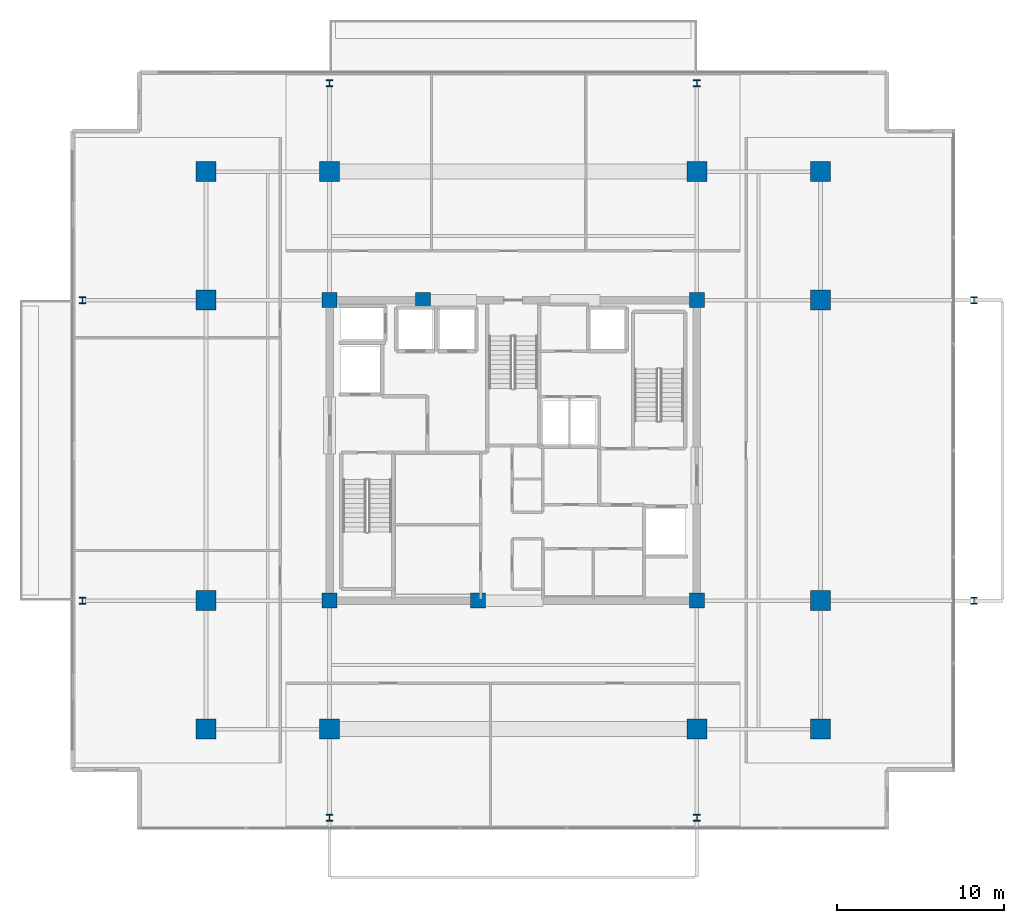
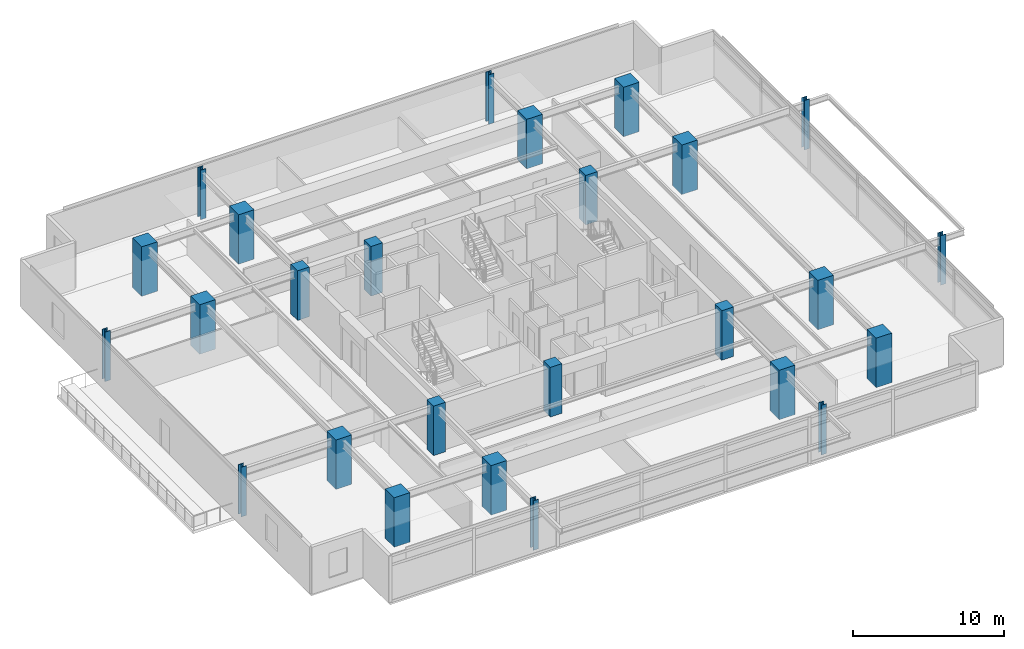
# One storey, part 1 of 19: 26 columns.
"""IFC4 building model written with IfcOpenShell, lengths in metres."""

import ifcopenshell
import ifcopenshell.guid

model = None  # the IFC model being written
_history = None  # IfcOwnerHistory: only IFC2X3 demands one
_inside = {}  # id of a spatial element -> (the spatial element, [elements in it])
_under = {}  # id of a project, library or spatial element -> (it, [spatial elements below it])
_declared = {}  # id of a project -> (the project, [libraries it declares])
_typed = {}  # id of a type object -> (the type object, [elements of that type])
_made_of = {}  # id of a material, layer set ... -> (it, [elements and type objects made of it])


def new_model(schema):
    """Start an empty IFC model of exactly this schema.

    Asked for "IFC4X3", IfcOpenShell would pick the latest addendum, in which some entities
    have other attributes; the version numbers below select the first issue.
    IFC2X3 requires an IfcOwnerHistory on every rooted entity: one is made here for all.
    """
    global model, _history
    if schema == "IFC4X3":
        model = ifcopenshell.file(schema_version=(4, 3, 0, 0))
    else:
        model = ifcopenshell.file(schema=schema)
    _inside.clear()
    _under.clear()
    _declared.clear()
    _typed.clear()
    _made_of.clear()
    _history = None
    if model.schema == "IFC2X3":
        org = make("IfcOrganization", Name="unknown")
        user = make(
            "IfcPersonAndOrganization",
            ThePerson=make("IfcPerson", FamilyName="unknown"),
            TheOrganization=org,
        )
        app = make(
            "IfcApplication",
            ApplicationDeveloper=org,
            Version="unknown",
            ApplicationFullName="unknown",
            ApplicationIdentifier="unknown",
        )
        _history = make(
            "IfcOwnerHistory",
            OwningUser=user,
            OwningApplication=app,
            ChangeAction="ADDED",
            CreationDate=0,
        )
    return model


def make(cls, **values):
    """One entity of the class cls with the attributes given. An attribute that is None is left unset."""
    return model.create_entity(
        cls, **{name: value for name, value in values.items() if value is not None}
    )


def rooted(cls, **values):
    """An entity with a GlobalId (a new one), such as an element, a storey or a relation."""
    return make(cls, GlobalId=ifcopenshell.guid.new(), OwnerHistory=_history, **values)


def si_unit(unit_type, name, prefix=None):
    """IfcSIUnit, for example si_unit("LENGTHUNIT", "METRE", prefix="MILLI")."""
    return make("IfcSIUnit", UnitType=unit_type, Prefix=prefix, Name=name)


def assignment(units):
    """IfcUnitAssignment: the units of a project."""
    return None if units is None else make("IfcUnitAssignment", Units=units)


def point(xyz):
    """IfcCartesianPoint."""
    return None if xyz is None else make("IfcCartesianPoint", Coordinates=xyz)


def direction(xyz):
    """IfcDirection."""
    return None if xyz is None else make("IfcDirection", DirectionRatios=xyz)


def frame(location, z_axis=None, x_axis=None):
    """IfcAxis2Placement3D, a coordinate frame: its origin and axes. An axis left out is left unset."""
    return make(
        "IfcAxis2Placement3D",
        Location=point(location),
        Axis=direction(z_axis),
        RefDirection=direction(x_axis),
    )


def frame_2d(location, x_axis=None):
    """IfcAxis2Placement2D, a coordinate frame in the plane: its origin and x axis."""
    return make(
        "IfcAxis2Placement2D", Location=point(location), RefDirection=direction(x_axis)
    )


def origin():
    """The frame at (0, 0, 0) with its axes left unset."""
    return frame((0.0, 0.0, 0.0))


def origin_2d():
    """The frame at (0, 0) in the plane with its x axis left unset."""
    return frame_2d((0.0, 0.0))


def place(relative_to, where):
    """IfcLocalPlacement: puts the frame where relative to a parent placement (None: the world)."""
    return make(
        "IfcLocalPlacement", PlacementRelTo=relative_to, RelativePlacement=where
    )


def context(
    kind, dimensions, precision=None, world=None, true_north=None, identifier=None
):
    """IfcGeometricRepresentationContext, for example the 3D "Model" context."""
    return make(
        "IfcGeometricRepresentationContext",
        ContextIdentifier=identifier,
        ContextType=kind,
        CoordinateSpaceDimension=dimensions,
        Precision=precision,
        WorldCoordinateSystem=world,
        TrueNorth=true_north,
    )


def subcontext(parent, identifier, kind, view, scale=None):
    """IfcGeometricRepresentationSubContext, for example "Body" below "Model"."""
    return make(
        "IfcGeometricRepresentationSubContext",
        ContextIdentifier=identifier,
        ContextType=kind,
        ParentContext=parent,
        TargetScale=scale,
        TargetView=view,
    )


def project(units=None, contexts=None):
    """IfcProject with its units and contexts."""
    return rooted(
        "IfcProject",
        Name="project",
        RepresentationContexts=contexts,
        UnitsInContext=assignment(units),
    )


def spatial(cls, under=None, at=None, **own):
    """A site, building, storey or space (cls), placed at a placement, below another one or the project."""
    s = rooted(cls, ObjectPlacement=at, **own)
    if under is not None:
        _under.setdefault(under.id(), (under, []))[1].append(s)
    return s


def profile(cls, at=None, kind="AREA", **sizes):
    """A parametric profile (cls). Its sizes go by their IFC names, for example OverallWidth=200.0."""
    return make(cls, ProfileType=kind, Position=at, **sizes)


def rectangle(**sizes):
    """IfcRectangleProfileDef."""
    return profile("IfcRectangleProfileDef", **sizes)


def i_section(**sizes):
    """IfcIShapeProfileDef."""
    return profile("IfcIShapeProfileDef", **sizes)


def extrude(swept, where, along, depth):
    """IfcExtrudedAreaSolid: the profile swept, set in the frame where, extruded along a direction by depth."""
    return make(
        "IfcExtrudedAreaSolid",
        SweptArea=swept,
        Position=where,
        ExtrudedDirection=direction(along),
        Depth=depth,
    )


def shape(context_of_items, identifier, shape_type, items):
    """IfcShapeRepresentation: the items that make up one representation, for example the "Body"."""
    return make(
        "IfcShapeRepresentation",
        ContextOfItems=context_of_items,
        RepresentationIdentifier=identifier,
        RepresentationType=shape_type,
        Items=items,
    )


def material(Name=None, Category=None):
    """IfcMaterial."""
    return make("IfcMaterial", Name=Name, Category=Category)


def material_profile(
    of_material, cross_section, Name=None, Category=None, Priority=None
):
    """IfcMaterialProfile: a cross section and its material."""
    return make(
        "IfcMaterialProfile",
        Name=Name,
        Material=of_material,
        Profile=cross_section,
        Priority=Priority,
        Category=Category,
    )


def profile_set(profiles, Name=None, composite=None):
    """IfcMaterialProfileSet."""
    return make(
        "IfcMaterialProfileSet",
        Name=Name,
        MaterialProfiles=profiles,
        CompositeProfile=composite,
    )


def made_of(thing, what):
    """Note that an element or type object is made of a material, layer set ...; save() writes the relation."""
    if what is not None:
        _made_of.setdefault(what.id(), (what, []))[1].append(thing)
    return thing


def type_object(cls, material=None, **own):
    """A type object (cls), such as IfcWallType, which elements share."""
    return made_of(rooted(cls, **own), material)


def element(
    cls,
    number,
    at=None,
    inside=None,
    cuts=None,
    type_object=None,
    material=None,
    context=None,
    identifier="Body",
    shape_type=None,
    held_by="IfcProductDefinitionShape",
    body=None,
    shapes=None,
    **own,
):
    """One element of the class cls, such as IfcWall. Its Tag is "e" and its number.

    at: its placement. inside: the storey or other place that contains it. cuts: it is an
    opening in that element (IfcRelVoidsElement). A single representation is given by context,
    identifier, shape_type and body (its items); several are given by shapes. held_by: the class
    of the entity that holds the representations. save() writes the other relations.
    """
    e = rooted(cls, Tag="e%d" % number, ObjectPlacement=at, **own)
    if body is not None:
        shapes = [shape(context, identifier, shape_type, body)]
    if shapes is not None:
        e.Representation = make(held_by, Representations=shapes)
    if inside is not None:
        _inside.setdefault(inside.id(), (inside, []))[1].append(e)
    if cuts is not None:
        rooted(
            "IfcRelVoidsElement", RelatingBuildingElement=cuts, RelatedOpeningElement=e
        )
    if type_object is not None:
        _typed.setdefault(type_object.id(), (type_object, []))[1].append(e)
    return made_of(e, material)


def aggregate(whole, parts):
    """IfcRelAggregates: a whole, such as a stair, and the parts it consists of."""
    return rooted("IfcRelAggregates", RelatingObject=whole, RelatedObjects=parts)


def save(model, path):
    """Write the relations noted so far, then the file.

    IfcRelAggregates (storeys below a building ...), IfcRelContainedInSpatialStructure (elements
    in a storey), IfcRelDefinesByType, IfcRelAssociatesMaterial and IfcRelDeclares: one each for
    every whole, place, type object, material and project.
    """
    for whole, parts in _under.values():
        aggregate(whole, parts)
    for where, things in _inside.values():
        rooted(
            "IfcRelContainedInSpatialStructure",
            RelatedElements=things,
            RelatingStructure=where,
        )
    for kind, things in _typed.values():
        rooted("IfcRelDefinesByType", RelatedObjects=things, RelatingType=kind)
    for what, things in _made_of.values():
        rooted("IfcRelAssociatesMaterial", RelatedObjects=things, RelatingMaterial=what)
    for by, libraries in _declared.values():
        rooted("IfcRelDeclares", RelatingContext=by, RelatedDefinitions=libraries)
    model.write(path)


model = new_model("IFC4")

# Units and contexts
model_context = context("Model", 3, precision=1e-05, world=origin(), true_north=direction((0.0, 1.0)))
body_context = subcontext(model_context, "Body", "Model", "MODEL_VIEW")
ifc_project = project(units=[si_unit("LENGTHUNIT", "METRE"), si_unit("AREAUNIT", "SQUARE_METRE"), si_unit("VOLUMEUNIT", "CUBIC_METRE"), si_unit("PLANEANGLEUNIT", "RADIAN"), si_unit("MASSUNIT", "GRAM", prefix="KILO")], contexts=[model_context])

# Site, building, storey
site_placement = place(None, origin())
site = spatial("IfcSite", under=ifc_project, at=site_placement, CompositionType="ELEMENT")
building_placement = place(site_placement, origin())
building = spatial("IfcBuilding", under=site, at=building_placement, Name="Kovane Verandah Tower", CompositionType="ELEMENT")
storey_placement = place(building_placement, frame((0.0, 0.0, 255.199951171875)))
storey = spatial("IfcBuildingStorey", under=building, at=storey_placement, Name="L59", CompositionType="ELEMENT", Elevation=255.199951171875)

# Columns
ifc_material_1 = material(Name="Concrete C60/75", Category="concrete")
ifc_material_profile_1 = material_profile(ifc_material_1, rectangle(XDim=1.199951171875, YDim=1.199951171875, at=origin_2d()), Name="RC1200x1200")
ifc_profile_set_1 = profile_set([ifc_material_profile_1], Name="Concrete C60/75")
column_type_1 = type_object("IfcColumnType", Name="COL-RC1200", PredefinedType="COLUMN", material=ifc_profile_set_1)
for number, where, z_axis, x_axis, name in (
    (1, (29.0, 10.800048828125, 0.0), (0.0, 0.0, 1.0), (1.0, 0.0, 0.0), "L59 Tower Mega-Column MC-S1"),
    (2, (51.0, 10.800048828125, 0.0), (0.0, 0.0, 1.0), (1.0, 0.0, 0.0), "L59 Tower Mega-Column MC-S2"),
    (3, (29.0, 44.199951171875, 0.0), (0.0, 0.0, 1.0), (1.0, 0.0, 0.0), "L59 Tower Mega-Column MC-N1"),
    (4, (51.0, 44.199951171875, 0.0), (0.0, 0.0, 1.0), (1.0, 0.0, 0.0), "L59 Tower Mega-Column MC-N2"),
    (5, (21.60009765625, 18.5, 0.0), (0.0, 0.0, 1.0), (1.0, 0.0, 0.0), "L59 Tower Mega-Column MC-W1"),
    (6, (21.60009765625, 36.5, 0.0), (0.0, 0.0, 1.0), (1.0, 0.0, 0.0), "L59 Tower Mega-Column MC-W2"),
    (7, (58.39990234375, 18.5, 0.0), (0.0, 0.0, 1.0), (1.0, 0.0, 0.0), "L59 Tower Mega-Column MC-E1"),
    (8, (58.39990234375, 36.5, 0.0), (0.0, 0.0, 1.0), (1.0, 0.0, 0.0), "L59 Tower Mega-Column MC-E2"),
    (9, (21.60009765625, 10.800048828125, 0.0), (0.0, 0.0, 1.0), (1.0, 0.0, 0.0), "L59 Tower Mega-Column MC-SW"),
    (10, (58.39990234375, 10.800048828125, 0.0), (0.0, 0.0, 1.0), (1.0, 0.0, 0.0), "L59 Tower Mega-Column MC-SE"),
    (11, (21.60009765625, 44.199951171875, 0.0), (0.0, 0.0, 1.0), (1.0, 0.0, 0.0), "L59 Tower Mega-Column MC-NW"),
    (12, (58.39990234375, 44.199951171875, 0.0), (0.0, 0.0, 1.0), (1.0, 0.0, 0.0), "L59 Tower Mega-Column MC-NE"),
):
    element("IfcColumn", number, at=place(storey_placement, frame(where, z_axis=z_axis, x_axis=x_axis)), inside=storey, type_object=column_type_1, Name=name, PredefinedType="COLUMN", context=body_context, shape_type="SweptSolid", body=[
        extrude(rectangle(XDim=1.199951171875, YDim=1.199951171875, at=origin_2d()), origin(), (0.0, 0.0, 1.0), 4.0),
    ])
ifc_material_2 = material(Name="Steel S460", Category="steel")
ifc_material_profile_2 = material_profile(ifc_material_2, i_section(OverallWidth=0.403076171875, OverallDepth=0.406494140625, WebThickness=0.026611328125, FlangeThickness=0.04296875, FilletRadius=0.01513671875, at=origin_2d()), Name="UC356x406x340")
ifc_profile_set_2 = profile_set([ifc_material_profile_2], Name="Steel S460")
column_type_2 = type_object("IfcColumnType", Name="COL-UC340", PredefinedType="COLUMN", material=ifc_profile_set_2)
for number, where, z_axis, x_axis, name in (
    (13, (14.199951171875, 18.5, 0.0), (0.0, 0.0, 1.0), (1.0, 0.0, 0.0), "L59 Verandah Perimeter Column VC-W1"),
    (14, (14.199951171875, 36.5, 0.0), (0.0, 0.0, 1.0), (1.0, 0.0, 0.0), "L59 Verandah Perimeter Column VC-W2"),
    (15, (67.60009765625, 18.5, 0.0), (0.0, 0.0, 1.0), (1.0, 0.0, 0.0), "L59 Verandah Perimeter Column VC-E1"),
    (16, (67.60009765625, 36.5, 0.0), (0.0, 0.0, 1.0), (1.0, 0.0, 0.0), "L59 Verandah Perimeter Column VC-E2"),
    (17, (29.0, 5.5, 0.0), (0.0, 0.0, 1.0), (1.0, 0.0, 0.0), "L59 Verandah Perimeter Column VC-S1"),
    (18, (51.0, 5.5, 0.0), (0.0, 0.0, 1.0), (1.0, 0.0, 0.0), "L59 Verandah Perimeter Column VC-S2"),
    (19, (29.0, 49.5, 0.0), (0.0, 0.0, 1.0), (1.0, 0.0, 0.0), "L59 Verandah Perimeter Column VC-N1"),
    (20, (51.0, 49.5, 0.0), (0.0, 0.0, 1.0), (1.0, 0.0, 0.0), "L59 Verandah Perimeter Column VC-N2"),
):
    element("IfcColumn", number, at=place(storey_placement, frame(where, z_axis=z_axis, x_axis=x_axis)), inside=storey, type_object=column_type_2, Name=name, PredefinedType="COLUMN", context=body_context, shape_type="SweptSolid", body=[
        extrude(i_section(OverallWidth=0.403076171875, OverallDepth=0.406494140625, WebThickness=0.026611328125, FlangeThickness=0.04296875, FilletRadius=0.01513671875, at=origin_2d()), origin(), (0.0, 0.0, 1.0), 4.0),
    ])
ifc_material_profile_3 = material_profile(ifc_material_1, rectangle(XDim=0.89990234375, YDim=0.89990234375, at=origin_2d()), Name="RC900x900")
ifc_profile_set_3 = profile_set([ifc_material_profile_3], Name="Concrete C60/75")
column_type_3 = type_object("IfcColumnType", Name="PIL-RC900", PredefinedType="PILASTER", material=ifc_profile_set_3)
for number, where, z_axis, x_axis, name in (
    (21, (29.0, 18.5, 0.0), (0.0, 0.0, 1.0), (1.0, 0.0, 0.0), "L59 Core Pilaster CP-SW"),
    (22, (51.0, 18.5, 0.0), (0.0, 0.0, 1.0), (1.0, 0.0, 0.0), "L59 Core Pilaster CP-SE"),
    (23, (29.0, 36.5, 0.0), (0.0, 0.0, 1.0), (1.0, 0.0, 0.0), "L59 Core Pilaster CP-NW"),
    (24, (51.0, 36.5, 0.0), (0.0, 0.0, 1.0), (1.0, 0.0, 0.0), "L59 Core Pilaster CP-NE"),
    (25, (37.89990234375, 18.5, 0.0), (0.0, 0.0, 1.0), (1.0, 0.0, 0.0), "L59 Core Pilaster CP-S"),
    (26, (34.60009765625, 36.5, 0.0), (0.0, 0.0, 1.0), (1.0, 0.0, 0.0), "L59 Core Pilaster CP-N"),
):
    element("IfcColumn", number, at=place(storey_placement, frame(where, z_axis=z_axis, x_axis=x_axis)), inside=storey, type_object=column_type_3, Name=name, PredefinedType="PILASTER", context=body_context, shape_type="SweptSolid", body=[
        extrude(rectangle(XDim=0.89990234375, YDim=0.89990234375, at=origin_2d()), origin(), (0.0, 0.0, 1.0), 4.0),
    ])

save(model, "model.ifc")
